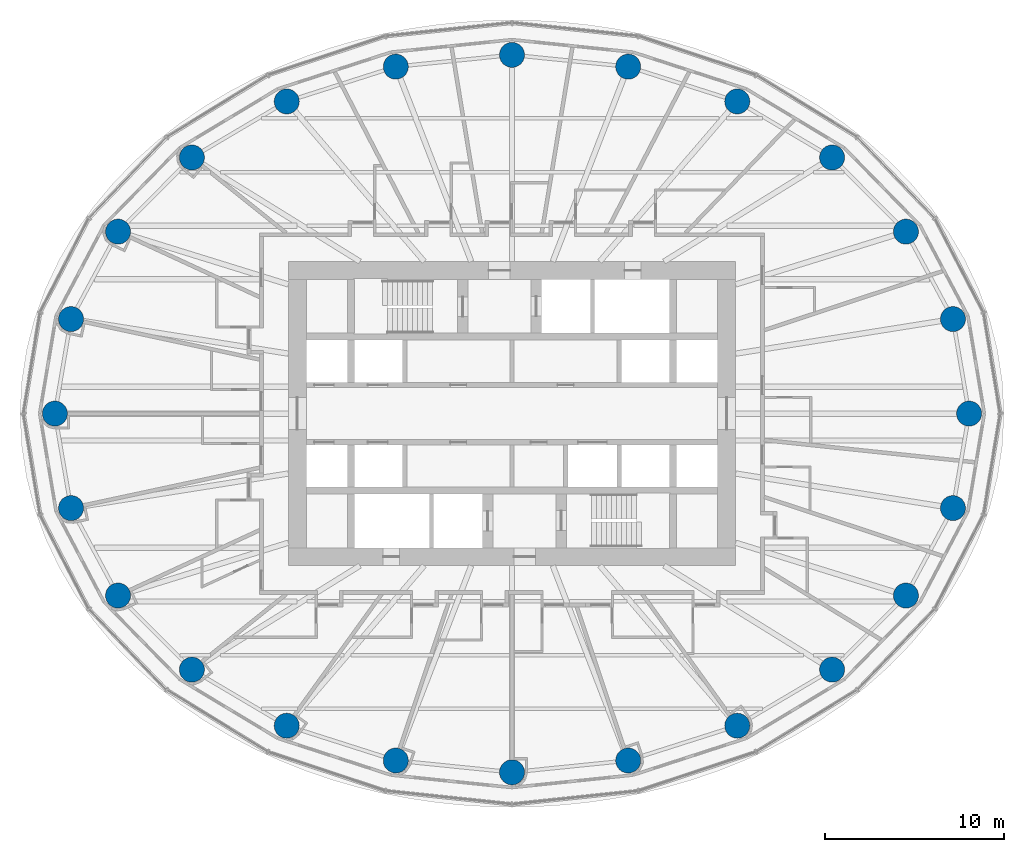
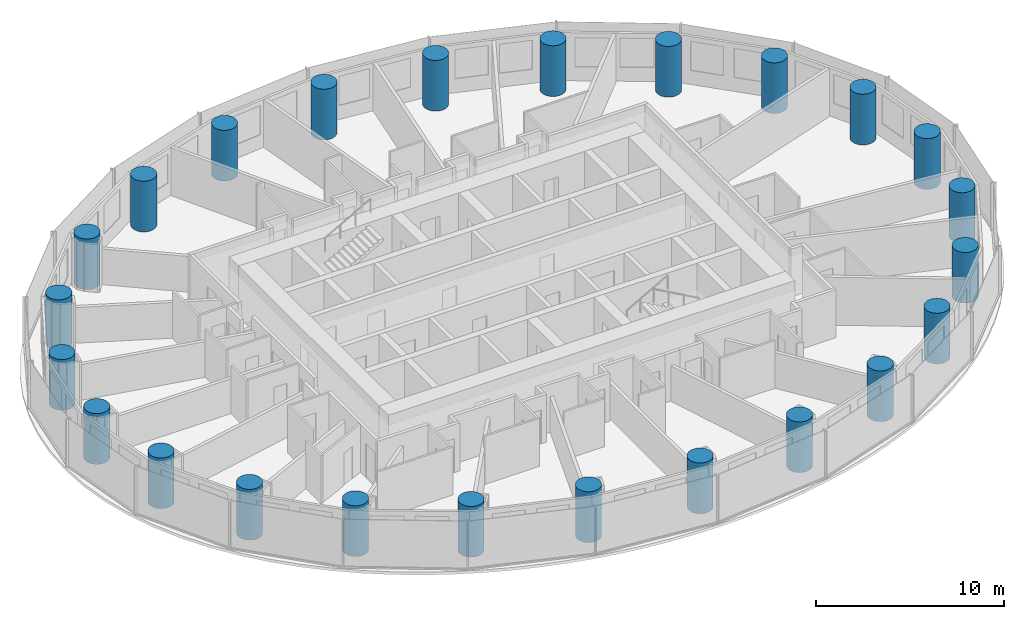
# One storey, part 1 of 14: 24 columns.
"""IFC4 building model written with IfcOpenShell, lengths in metres."""

import ifcopenshell
import ifcopenshell.guid

model = None  # the IFC model being written
_history = None  # IfcOwnerHistory: only IFC2X3 demands one
_inside = {}  # id of a spatial element -> (the spatial element, [elements in it])
_under = {}  # id of a project, library or spatial element -> (it, [spatial elements below it])
_declared = {}  # id of a project -> (the project, [libraries it declares])
_typed = {}  # id of a type object -> (the type object, [elements of that type])
_made_of = {}  # id of a material, layer set ... -> (it, [elements and type objects made of it])


def new_model(schema):
    """Start an empty IFC model of exactly this schema.

    Asked for "IFC4X3", IfcOpenShell would pick the latest addendum, in which some entities
    have other attributes; the version numbers below select the first issue.
    IFC2X3 requires an IfcOwnerHistory on every rooted entity: one is made here for all.
    """
    global model, _history
    if schema == "IFC4X3":
        model = ifcopenshell.file(schema_version=(4, 3, 0, 0))
    else:
        model = ifcopenshell.file(schema=schema)
    _inside.clear()
    _under.clear()
    _declared.clear()
    _typed.clear()
    _made_of.clear()
    _history = None
    if model.schema == "IFC2X3":
        org = make("IfcOrganization", Name="unknown")
        user = make(
            "IfcPersonAndOrganization",
            ThePerson=make("IfcPerson", FamilyName="unknown"),
            TheOrganization=org,
        )
        app = make(
            "IfcApplication",
            ApplicationDeveloper=org,
            Version="unknown",
            ApplicationFullName="unknown",
            ApplicationIdentifier="unknown",
        )
        _history = make(
            "IfcOwnerHistory",
            OwningUser=user,
            OwningApplication=app,
            ChangeAction="ADDED",
            CreationDate=0,
        )
    return model


def make(cls, **values):
    """One entity of the class cls with the attributes given. An attribute that is None is left unset."""
    return model.create_entity(
        cls, **{name: value for name, value in values.items() if value is not None}
    )


def rooted(cls, **values):
    """An entity with a GlobalId (a new one), such as an element, a storey or a relation."""
    return make(cls, GlobalId=ifcopenshell.guid.new(), OwnerHistory=_history, **values)


def si_unit(unit_type, name, prefix=None):
    """IfcSIUnit, for example si_unit("LENGTHUNIT", "METRE", prefix="MILLI")."""
    return make("IfcSIUnit", UnitType=unit_type, Prefix=prefix, Name=name)


def assignment(units):
    """IfcUnitAssignment: the units of a project."""
    return None if units is None else make("IfcUnitAssignment", Units=units)


def point(xyz):
    """IfcCartesianPoint."""
    return None if xyz is None else make("IfcCartesianPoint", Coordinates=xyz)


def direction(xyz):
    """IfcDirection."""
    return None if xyz is None else make("IfcDirection", DirectionRatios=xyz)


def frame(location, z_axis=None, x_axis=None):
    """IfcAxis2Placement3D, a coordinate frame: its origin and axes. An axis left out is left unset."""
    return make(
        "IfcAxis2Placement3D",
        Location=point(location),
        Axis=direction(z_axis),
        RefDirection=direction(x_axis),
    )


def frame_2d(location, x_axis=None):
    """IfcAxis2Placement2D, a coordinate frame in the plane: its origin and x axis."""
    return make(
        "IfcAxis2Placement2D", Location=point(location), RefDirection=direction(x_axis)
    )


def origin():
    """The frame at (0, 0, 0) with its axes left unset."""
    return frame((0.0, 0.0, 0.0))


def origin_2d():
    """The frame at (0, 0) in the plane with its x axis left unset."""
    return frame_2d((0.0, 0.0))


def place(relative_to, where):
    """IfcLocalPlacement: puts the frame where relative to a parent placement (None: the world)."""
    return make(
        "IfcLocalPlacement", PlacementRelTo=relative_to, RelativePlacement=where
    )


def context(
    kind, dimensions, precision=None, world=None, true_north=None, identifier=None
):
    """IfcGeometricRepresentationContext, for example the 3D "Model" context."""
    return make(
        "IfcGeometricRepresentationContext",
        ContextIdentifier=identifier,
        ContextType=kind,
        CoordinateSpaceDimension=dimensions,
        Precision=precision,
        WorldCoordinateSystem=world,
        TrueNorth=true_north,
    )


def subcontext(parent, identifier, kind, view, scale=None):
    """IfcGeometricRepresentationSubContext, for example "Body" below "Model"."""
    return make(
        "IfcGeometricRepresentationSubContext",
        ContextIdentifier=identifier,
        ContextType=kind,
        ParentContext=parent,
        TargetScale=scale,
        TargetView=view,
    )


def project(units=None, contexts=None):
    """IfcProject with its units and contexts."""
    return rooted(
        "IfcProject",
        Name="project",
        RepresentationContexts=contexts,
        UnitsInContext=assignment(units),
    )


def spatial(cls, under=None, at=None, **own):
    """A site, building, storey or space (cls), placed at a placement, below another one or the project."""
    s = rooted(cls, ObjectPlacement=at, **own)
    if under is not None:
        _under.setdefault(under.id(), (under, []))[1].append(s)
    return s


def profile(cls, at=None, kind="AREA", **sizes):
    """A parametric profile (cls). Its sizes go by their IFC names, for example OverallWidth=200.0."""
    return make(cls, ProfileType=kind, Position=at, **sizes)


def circle(**sizes):
    """IfcCircleProfileDef."""
    return profile("IfcCircleProfileDef", **sizes)


def extrude(swept, where, along, depth):
    """IfcExtrudedAreaSolid: the profile swept, set in the frame where, extruded along a direction by depth."""
    return make(
        "IfcExtrudedAreaSolid",
        SweptArea=swept,
        Position=where,
        ExtrudedDirection=direction(along),
        Depth=depth,
    )


def shape(context_of_items, identifier, shape_type, items):
    """IfcShapeRepresentation: the items that make up one representation, for example the "Body"."""
    return make(
        "IfcShapeRepresentation",
        ContextOfItems=context_of_items,
        RepresentationIdentifier=identifier,
        RepresentationType=shape_type,
        Items=items,
    )


def material(Name=None, Category=None):
    """IfcMaterial."""
    return make("IfcMaterial", Name=Name, Category=Category)


def material_profile(
    of_material, cross_section, Name=None, Category=None, Priority=None
):
    """IfcMaterialProfile: a cross section and its material."""
    return make(
        "IfcMaterialProfile",
        Name=Name,
        Material=of_material,
        Profile=cross_section,
        Priority=Priority,
        Category=Category,
    )


def profile_set(profiles, Name=None, composite=None):
    """IfcMaterialProfileSet."""
    return make(
        "IfcMaterialProfileSet",
        Name=Name,
        MaterialProfiles=profiles,
        CompositeProfile=composite,
    )


def made_of(thing, what):
    """Note that an element or type object is made of a material, layer set ...; save() writes the relation."""
    if what is not None:
        _made_of.setdefault(what.id(), (what, []))[1].append(thing)
    return thing


def type_object(cls, material=None, **own):
    """A type object (cls), such as IfcWallType, which elements share."""
    return made_of(rooted(cls, **own), material)


def element(
    cls,
    number,
    at=None,
    inside=None,
    cuts=None,
    type_object=None,
    material=None,
    context=None,
    identifier="Body",
    shape_type=None,
    held_by="IfcProductDefinitionShape",
    body=None,
    shapes=None,
    **own,
):
    """One element of the class cls, such as IfcWall. Its Tag is "e" and its number.

    at: its placement. inside: the storey or other place that contains it. cuts: it is an
    opening in that element (IfcRelVoidsElement). A single representation is given by context,
    identifier, shape_type and body (its items); several are given by shapes. held_by: the class
    of the entity that holds the representations. save() writes the other relations.
    """
    e = rooted(cls, Tag="e%d" % number, ObjectPlacement=at, **own)
    if body is not None:
        shapes = [shape(context, identifier, shape_type, body)]
    if shapes is not None:
        e.Representation = make(held_by, Representations=shapes)
    if inside is not None:
        _inside.setdefault(inside.id(), (inside, []))[1].append(e)
    if cuts is not None:
        rooted(
            "IfcRelVoidsElement", RelatingBuildingElement=cuts, RelatedOpeningElement=e
        )
    if type_object is not None:
        _typed.setdefault(type_object.id(), (type_object, []))[1].append(e)
    return made_of(e, material)


def aggregate(whole, parts):
    """IfcRelAggregates: a whole, such as a stair, and the parts it consists of."""
    return rooted("IfcRelAggregates", RelatingObject=whole, RelatedObjects=parts)


def save(model, path):
    """Write the relations noted so far, then the file.

    IfcRelAggregates (storeys below a building ...), IfcRelContainedInSpatialStructure (elements
    in a storey), IfcRelDefinesByType, IfcRelAssociatesMaterial and IfcRelDeclares: one each for
    every whole, place, type object, material and project.
    """
    for whole, parts in _under.values():
        aggregate(whole, parts)
    for where, things in _inside.values():
        rooted(
            "IfcRelContainedInSpatialStructure",
            RelatedElements=things,
            RelatingStructure=where,
        )
    for kind, things in _typed.values():
        rooted("IfcRelDefinesByType", RelatedObjects=things, RelatingType=kind)
    for what, things in _made_of.values():
        rooted("IfcRelAssociatesMaterial", RelatedObjects=things, RelatingMaterial=what)
    for by, libraries in _declared.values():
        rooted("IfcRelDeclares", RelatingContext=by, RelatedDefinitions=libraries)
    model.write(path)


model = new_model("IFC4")

# Units and contexts
model_context = context("Model", 3, precision=1e-05, world=origin(), true_north=direction((0.0, 1.0)))
body_context = subcontext(model_context, "Body", "Model", "MODEL_VIEW")
ifc_project = project(units=[si_unit("LENGTHUNIT", "METRE"), si_unit("AREAUNIT", "SQUARE_METRE"), si_unit("VOLUMEUNIT", "CUBIC_METRE"), si_unit("PLANEANGLEUNIT", "RADIAN"), si_unit("MASSUNIT", "GRAM", prefix="KILO")], contexts=[model_context])

# Site, building, storey
site_placement = place(None, origin())
site = spatial("IfcSite", under=ifc_project, at=site_placement, CompositionType="ELEMENT")
building_placement = place(site_placement, origin())
building = spatial("IfcBuilding", under=site, at=building_placement, Name="Hankou Lantern Tower", CompositionType="ELEMENT")
storey_placement = place(building_placement, frame((0.0, 0.0, 54.0)))
storey = spatial("IfcBuildingStorey", under=building, at=storey_placement, Name="L12", CompositionType="ELEMENT", Elevation=54.0)

# Columns
ifc_material = material(Name="Concrete C60", Category="concrete")
ifc_material_profile = material_profile(ifc_material, circle(Radius=0.699951171875, at=origin_2d()), Name="RC D1400")
ifc_profile_set = profile_set([ifc_material_profile], Name="Concrete C60")
column_type = type_object("IfcColumnType", Name="TC2 PERIMETER COLUMN RC D1400", PredefinedType="COLUMN", material=ifc_profile_set)
for number, where, z_axis, x_axis, name in (
    (1, (25.550048828125, 0.0, 0.0), (0.0, 0.0, 1.0), (1.0, 0.0, 0.0), "Column R01 L12"),
    (2, (24.64697265625, 5.283203125, 0.0), (0.0, 0.0, 1.0), (1.0, 0.0, 0.0), "Column R02 L12"),
    (3, (22.01904296875, 10.170166015625, 0.0), (0.0, 0.0, 1.0), (1.0, 0.0, 0.0), "Column R03 L12"),
    (4, (17.891845703125, 14.3134765625, 0.0), (0.0, 0.0, 1.0), (1.0, 0.0, 0.0), "Column R04 L12"),
    (5, (12.5908203125, 17.446533203125, 0.0), (0.0, 0.0, 1.0), (1.0, 0.0, 0.0), "Column R05 L12"),
    (6, (6.494873046875, 19.391357421875, 0.0), (0.0, 0.0, 1.0), (1.0, 0.0, 0.0), "Column R06 L12"),
    (7, (0.0, 20.050048828125, 0.0), (0.0, 0.0, 1.0), (1.0, 0.0, 0.0), "Column R07 L12"),
    (8, (-6.494873046875, 19.391357421875, 0.0), (0.0, 0.0, 1.0), (1.0, 0.0, 0.0), "Column R08 L12"),
    (9, (-12.5908203125, 17.446533203125, 0.0), (0.0, 0.0, 1.0), (1.0, 0.0, 0.0), "Column R09 L12"),
    (10, (-17.891845703125, 14.3134765625, 0.0), (0.0, 0.0, 1.0), (1.0, 0.0, 0.0), "Column R10 L12"),
    (11, (-22.01904296875, 10.170166015625, 0.0), (0.0, 0.0, 1.0), (1.0, 0.0, 0.0), "Column R11 L12"),
    (12, (-24.64697265625, 5.283203125, 0.0), (0.0, 0.0, 1.0), (1.0, 0.0, 0.0), "Column R12 L12"),
    (13, (-25.550048828125, 0.0, 0.0), (0.0, 0.0, 1.0), (1.0, 0.0, 0.0), "Column R13 L12"),
    (14, (-24.64697265625, -5.283203125, 0.0), (0.0, 0.0, 1.0), (1.0, 0.0, 0.0), "Column R14 L12"),
    (15, (-22.01904296875, -10.170166015625, 0.0), (0.0, 0.0, 1.0), (1.0, 0.0, 0.0), "Column R15 L12"),
    (16, (-17.891845703125, -14.3134765625, 0.0), (0.0, 0.0, 1.0), (1.0, 0.0, 0.0), "Column R16 L12"),
    (17, (-12.5908203125, -17.446533203125, 0.0), (0.0, 0.0, 1.0), (1.0, 0.0, 0.0), "Column R17 L12"),
    (18, (-6.494873046875, -19.391357421875, 0.0), (0.0, 0.0, 1.0), (1.0, 0.0, 0.0), "Column R18 L12"),
    (19, (0.0, -20.050048828125, 0.0), (0.0, 0.0, 1.0), (1.0, 0.0, 0.0), "Column R19 L12"),
    (20, (6.494873046875, -19.391357421875, 0.0), (0.0, 0.0, 1.0), (1.0, 0.0, 0.0), "Column R20 L12"),
    (21, (12.5908203125, -17.446533203125, 0.0), (0.0, 0.0, 1.0), (1.0, 0.0, 0.0), "Column R21 L12"),
    (22, (17.891845703125, -14.3134765625, 0.0), (0.0, 0.0, 1.0), (1.0, 0.0, 0.0), "Column R22 L12"),
    (23, (22.01904296875, -10.170166015625, 0.0), (0.0, 0.0, 1.0), (1.0, 0.0, 0.0), "Column R23 L12"),
    (24, (24.64697265625, -5.283203125, 0.0), (0.0, 0.0, 1.0), (1.0, 0.0, 0.0), "Column R24 L12"),
):
    element("IfcColumn", number, at=place(storey_placement, frame(where, z_axis=z_axis, x_axis=x_axis)), inside=storey, type_object=column_type, Name=name, PredefinedType="COLUMN", context=body_context, shape_type="SweptSolid", body=[
        extrude(circle(Radius=0.699951171875, at=origin_2d()), origin(), (0.0, 0.0, 1.0), 3.300048828125),
    ])

save(model, "model.ifc")
